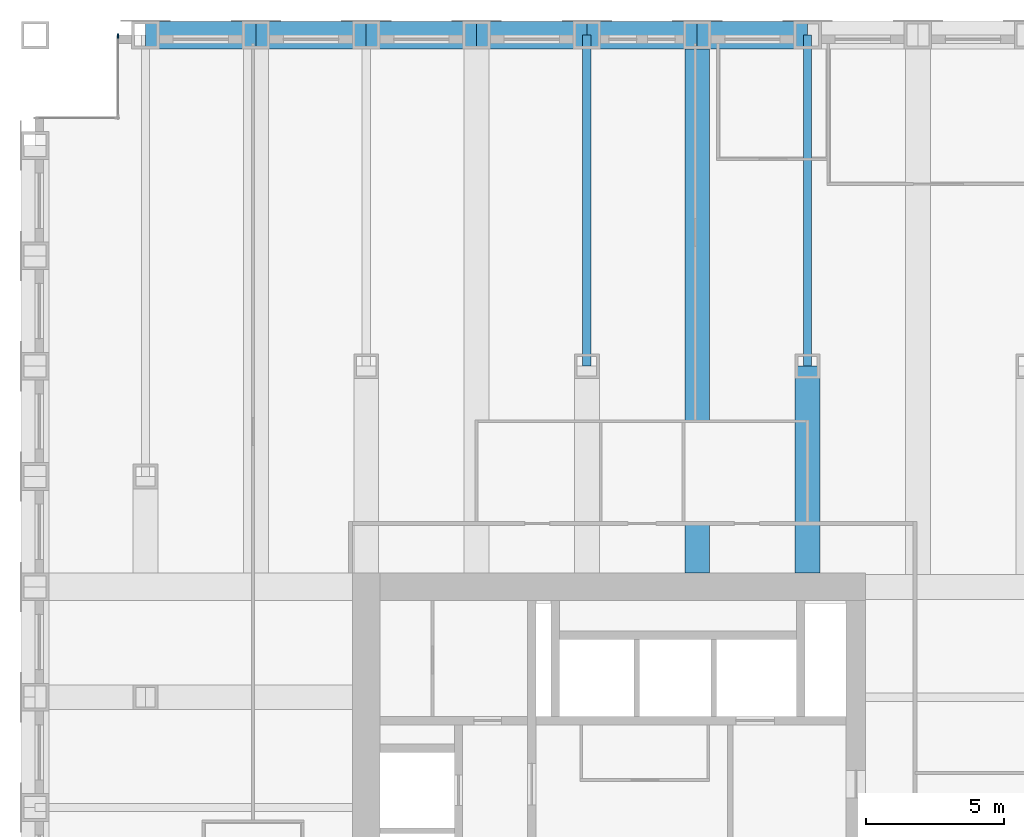
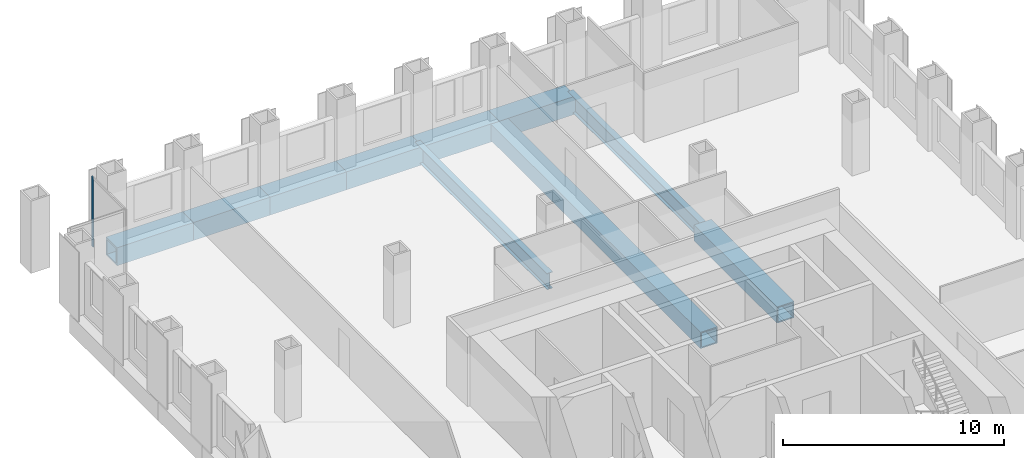
# One storey, part 6 of 13: 10 beams, 1 member, 1 element without a shape of its own.
"""IFC4 building model written with IfcOpenShell, lengths in metres."""

from ifc_helpers import new_model, si_unit, direction, frame, origin, origin_2d, place, context, subcontext, project, spatial, rectangle, hollow_rectangle, i_section, extrude, material, material_profile, profile_set, type_object, element, aggregate, save


model = new_model("IFC4")

# Units and contexts
model_context = context("Model", 3, precision=1e-05, world=origin(), true_north=direction((0.0, 1.0)))
body_context = subcontext(model_context, "Body", "Model", "MODEL_VIEW")
ifc_project = project(units=[si_unit("LENGTHUNIT", "METRE"), si_unit("AREAUNIT", "SQUARE_METRE"), si_unit("VOLUMEUNIT", "CUBIC_METRE"), si_unit("PLANEANGLEUNIT", "RADIAN"), si_unit("MASSUNIT", "GRAM", prefix="KILO")], contexts=[model_context])

# Site, building, storey
site_placement = place(None, origin())
site = spatial("IfcSite", under=ifc_project, at=site_placement, CompositionType="ELEMENT")
building_placement = place(site_placement, origin())
building = spatial("IfcBuilding", under=site, at=building_placement, Name="Rimbunsela Tower", CompositionType="ELEMENT")
storey_placement = place(building_placement, frame((0.0, 0.0, 195.800048828125)))
storey = spatial("IfcBuildingStorey", under=building, at=storey_placement, Name="L47", CompositionType="ELEMENT", Elevation=195.800048828125)

# Beams
ifc_material_1 = material(Name="Steel BJ 55 (fy 410 MPa)", Category="steel")
ifc_material_profile_1 = material_profile(ifc_material_1, hollow_rectangle(XDim=1.0, YDim=1.0, WallThickness=0.10009765625, at=origin_2d()), Name="BOX 1000x1000x100")
ifc_profile_set_1 = profile_set([ifc_material_profile_1], Name="Steel BJ 55 (fy 410 MPa)")
beam_type_1 = type_object("IfcBeamType", Name="Beam BOX 1000x1000x100", PredefinedType="BEAM", material=ifc_profile_set_1)
for number, where, z_axis, x_axis, name in (
    (1, (10.0, 56.0, -0.650146484375), (1.0, 0.0, 0.0), (0.0, 1.0, 0.0), "Beam B3 L47"),
    (2, (14.0, 56.0, -0.650146484375), (1.0, 0.0, 0.0), (0.0, 1.0, 0.0), "Beam B3 L47"),
    (3, (18.0, 56.0, -0.650146484375), (1.0, 0.0, 0.0), (0.0, 1.0, 0.0), "Beam B3 L47"),
    (4, (22.0, 56.0, -0.650146484375), (1.0, 0.0, 0.0), (0.0, 1.0, 0.0), "Beam B3 L47"),
    (5, (26.0, 56.0, -0.650146484375), (1.0, 0.0, 0.0), (0.0, 1.0, 0.0), "Beam B3 L47"),
    (6, (30.0, 56.0, -0.650146484375), (1.0, 0.0, 0.0), (0.0, 1.0, 0.0), "Beam B3 L47"),
):
    element("IfcBeam", number, at=place(storey_placement, frame(where, z_axis=z_axis, x_axis=x_axis)), inside=storey, type_object=beam_type_1, Name=name, PredefinedType="BEAM", context=body_context, shape_type="SweptSolid", body=[
        extrude(hollow_rectangle(XDim=1.0, YDim=1.0, WallThickness=0.10009765625, at=origin_2d()), origin(), (0.0, 0.0, 1.0), 4.0),
    ])
ifc_material_2 = material(Name="Steel BJ 55 (fy 410 MPa)", Category="steel")
ifc_material_profile_2 = material_profile(ifc_material_2, hollow_rectangle(XDim=0.89990234375, YDim=0.89990234375, WallThickness=0.06005859375, at=origin_2d()), Name="BOX 900x900x60")
ifc_profile_set_2 = profile_set([ifc_material_profile_2], Name="Steel BJ 55 (fy 410 MPa)")
beam_type_2 = type_object("IfcBeamType", Name="Beam BOX 900x900x60", PredefinedType="BEAM", material=ifc_profile_set_2)
beam_1_placement = place(storey_placement, frame((30.0, 36.5, -0.60009765625), z_axis=(0.0, 1.0, 0.0), x_axis=(-1.0, 0.0, 0.0)))
element("IfcBeam", 7, at=beam_1_placement, inside=storey, type_object=beam_type_2, Name="Beam B1 L47", PredefinedType="BEAM", context=body_context, shape_type="SweptSolid", body=[
    extrude(hollow_rectangle(XDim=0.89990234375, YDim=0.89990234375, WallThickness=0.06005859375, at=origin_2d()), origin(), (0.0, 0.0, 1.0), 19.5),
])
beam_2_placement = place(storey_placement, frame((34.0, 36.5, -0.60009765625), z_axis=(0.0, 1.0, 0.0), x_axis=(-1.0, 0.0, 0.0)))
element("IfcBeam", 8, at=beam_2_placement, inside=storey, type_object=beam_type_2, Name="Beam B1 L47", PredefinedType="BEAM", context=body_context, shape_type="SweptSolid", body=[
    extrude(hollow_rectangle(XDim=0.89990234375, YDim=0.89990234375, WallThickness=0.06005859375, at=origin_2d()), origin(), (0.0, 0.0, 1.0), 7.5),
])
ifc_material_3 = material(Name="Steel BJ 55 (fy 410 MPa)", Category="steel")
ifc_material_profile_3 = material_profile(ifc_material_3, i_section(OverallWidth=0.300048828125, OverallDepth=0.89990234375, WebThickness=0.01611328125, FlangeThickness=0.028076171875, FilletRadius=0.028076171875, at=origin_2d()), Name="H 900x300x16x28")
ifc_profile_set_3 = profile_set([ifc_material_profile_3], Name="Steel BJ 55 (fy 410 MPa)")
beam_type_3 = type_object("IfcBeamType", Name="Beam H 900x300x16x28", PredefinedType="BEAM", material=ifc_profile_set_3)
for number, where, z_axis, x_axis, name in (
    (9, (26.0, 44.0, -0.60009765625), (0.0, 1.0, 0.0), (-1.0, 0.0, 0.0), "Beam B2 L47"),
    (10, (34.0, 44.0, -0.60009765625), (0.0, 1.0, 0.0), (-1.0, 0.0, 0.0), "Beam B2 L47"),
):
    element("IfcBeam", number, at=place(storey_placement, frame(where, z_axis=z_axis, x_axis=x_axis)), inside=storey, type_object=beam_type_3, Name=name, PredefinedType="BEAM", context=body_context, shape_type="SweptSolid", body=[
        extrude(i_section(OverallWidth=0.300048828125, OverallDepth=0.89990234375, WebThickness=0.01611328125, FlangeThickness=0.028076171875, FilletRadius=0.028076171875, at=origin_2d()), origin(), (0.0, 0.0, 1.0), 12.0),
    ])

# Curtain wall, member
ifc_material_4 = material(Name="Aluminium curtain wall", Category="aluminium")
curtain_wall_type = type_object("IfcCurtainWallType", Name="Corner glazing", PredefinedType="USERDEFINED", material=ifc_material_4)
curtain_wall_placement = place(storey_placement, origin())
curtain_wall = element("IfcCurtainWall", 11, at=curtain_wall_placement, inside=storey, type_object=curtain_wall_type, Name="Corner glazing L47", ObjectType="CORNER GLAZING", PredefinedType="USERDEFINED")
ifc_material_5 = material(Name="Aluminium mullion", Category="aluminium")
ifc_material_profile_4 = material_profile(ifc_material_5, rectangle(XDim=0.06005859375, YDim=0.159912109375, at=origin_2d()), Name="Mullion 60x160")
ifc_profile_set_4 = profile_set([ifc_material_profile_4], Name="Aluminium mullion")
member_type = type_object("IfcMemberType", Name="Curtain wall mullion 60x160", PredefinedType="MULLION", material=ifc_profile_set_4)
member_placement = place(storey_placement, frame((9.0, 55.969970703125, 0.0), z_axis=(0.0, 0.0, 1.0), x_axis=(1.0, 0.0, 0.0)))
member = element("IfcMember", 12, at=member_placement, type_object=member_type, Name="CW5 mullion 1", PredefinedType="MULLION", context=body_context, shape_type="SweptSolid", body=[
    extrude(rectangle(XDim=0.06005859375, YDim=0.159912109375, at=origin_2d()), origin(), (0.0, 0.0, 1.0), 3.849853515625),
])
aggregate(curtain_wall, [member])

save(model, "model.ifc")
